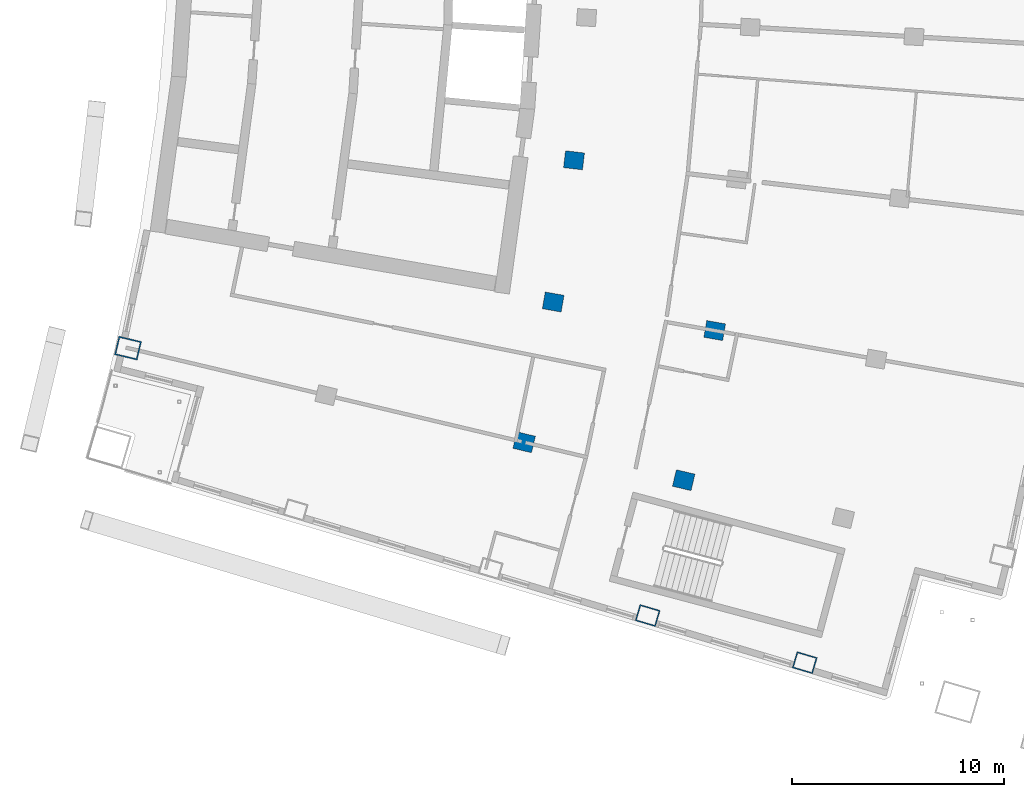
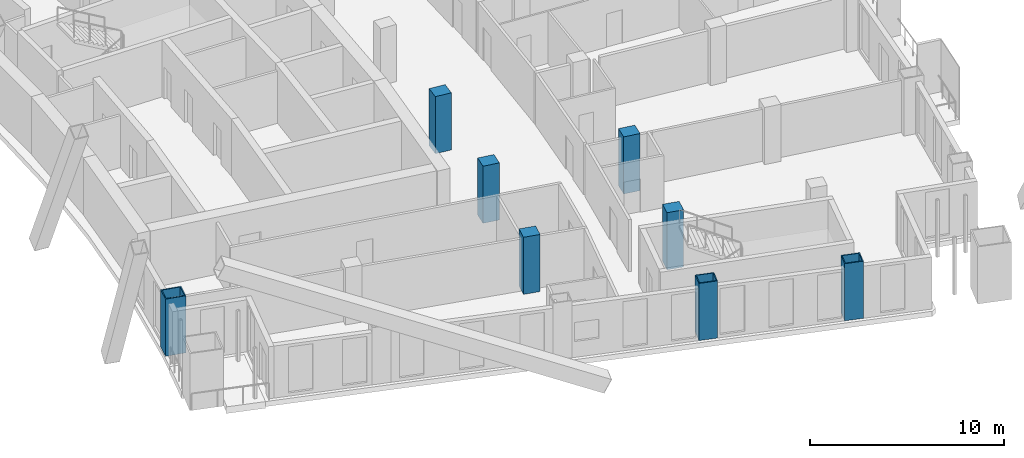
# One storey, part 2 of 19: 8 columns.
"""IFC4 building model written with IfcOpenShell, lengths in metres."""

from ifc_helpers import new_model, si_unit, direction, frame, origin, origin_2d, place, context, subcontext, project, spatial, rectangle, hollow_rectangle, extrude, material, material_profile, profile_set, type_object, element, save


model = new_model("IFC4")

# Units and contexts
model_context = context("Model", 3, precision=1e-05, world=origin(), true_north=direction((0.0, 1.0)))
body_context = subcontext(model_context, "Body", "Model", "MODEL_VIEW")
ifc_project = project(units=[si_unit("LENGTHUNIT", "METRE"), si_unit("AREAUNIT", "SQUARE_METRE"), si_unit("VOLUMEUNIT", "CUBIC_METRE"), si_unit("PLANEANGLEUNIT", "RADIAN"), si_unit("MASSUNIT", "GRAM", prefix="KILO")], contexts=[model_context])

# Site, building, storey
site_placement = place(None, origin())
site = spatial("IfcSite", under=ifc_project, at=site_placement, CompositionType="ELEMENT")
building_placement = place(site_placement, origin())
building = spatial("IfcBuilding", under=site, at=building_placement, Name="Alderwake Tower", CompositionType="ELEMENT")
storey_placement = place(building_placement, frame((0.0, 0.0, 171.199951171875)))
storey = spatial("IfcBuildingStorey", under=building, at=storey_placement, Name="L42", CompositionType="ELEMENT", Elevation=171.199951171875)

# Columns
ifc_material_1 = material(Name="Steel ASTM A572 Grade 50 concrete filled C70/85", Category="concrete")
ifc_material_profile_1 = material_profile(ifc_material_1, hollow_rectangle(XDim=0.800048828125, YDim=1.0, WallThickness=0.054931640625, at=origin_2d()), Name="BOX 1000X800X55")
ifc_profile_set_1 = profile_set([ifc_material_profile_1], Name="Steel ASTM A572 Grade 50 concrete filled C70/85")
column_type_1 = type_object("IfcColumnType", Name="End column Z3", PredefinedType="COLUMN", material=ifc_profile_set_1)
for number, where, z_axis, x_axis, name in (
    (1, (38.487060546875, 26.05322265625, 0.0), (0.0, 0.0, 1.0), (0.282893935167, 0.959151198428, 0.0), "Column R02-C3"),
    (2, (45.89404296875, 23.82958984375, 0.0), (0.0, 0.0, 1.0), (0.283168465256, 0.959070185276, 0.0), "Column R02-C4"),
):
    element("IfcColumn", number, at=place(storey_placement, frame(where, z_axis=z_axis, x_axis=x_axis)), inside=storey, type_object=column_type_1, Name=name, PredefinedType="COLUMN", context=body_context, shape_type="SweptSolid", body=[
        extrude(hollow_rectangle(XDim=0.800048828125, YDim=1.0, WallThickness=0.054931640625, at=origin_2d()), origin(), (0.0, 0.0, 1.0), 3.60009765625),
    ])
ifc_material_2 = material(Name="Concrete C70/85", Category="concrete")
ifc_material_profile_2 = material_profile(ifc_material_2, rectangle(XDim=0.800048828125, YDim=0.89990234375, at=origin_2d()), Name="RC 900X800")
ifc_profile_set_2 = profile_set([ifc_material_profile_2], Name="Concrete C70/85")
column_type_2 = type_object("IfcColumnType", Name="Interior column Z3", PredefinedType="COLUMN", material=ifc_profile_set_2)
for number, where, z_axis, x_axis, name in (
    (3, (32.661865234375, 34.224609375, 0.0), (0.0, 0.0, 1.0), (0.231221547198, 0.972901123502, 0.0), "Column R03-C2"),
    (4, (40.185791015625, 32.436279296875, 0.0), (0.0, 0.0, 1.0), (0.231221547198, 0.972901123502, 0.0), "Column R03-C3"),
    (5, (34.03125, 40.83837890625, 0.0), (0.0, 0.0, 1.0), (0.174108800747, 0.984726421654, 0.0), "Column R04-C2"),
    (6, (41.646484375, 39.49169921875, 0.0), (0.0, 0.0, 1.0), (0.174108800747, 0.984726421654, 0.0), "Column R04-C3"),
    (7, (35.0126953125, 47.5205078125, 0.0), (0.0, 0.0, 1.0), (0.116402054316, 0.993202175668, 0.0), "Column R05-C2"),
):
    element("IfcColumn", number, at=place(storey_placement, frame(where, z_axis=z_axis, x_axis=x_axis)), inside=storey, type_object=column_type_2, Name=name, PredefinedType="COLUMN", context=body_context, shape_type="SweptSolid", body=[
        extrude(rectangle(XDim=0.800048828125, YDim=0.89990234375, at=origin_2d()), origin(), (0.0, 0.0, 1.0), 3.60009765625),
    ])
ifc_material_3 = material(Name="Steel ASTM A572 Grade 50 concrete filled C70/85", Category="concrete")
ifc_material_profile_3 = material_profile(ifc_material_3, hollow_rectangle(XDim=0.89990234375, YDim=1.10009765625, WallThickness=0.06005859375, at=origin_2d()), Name="BOX 1100X900X60")
ifc_profile_set_3 = profile_set([ifc_material_profile_3], Name="Steel ASTM A572 Grade 50 concrete filled C70/85")
column_type_3 = type_object("IfcColumnType", Name="Perimeter column Z3", PredefinedType="COLUMN", material=ifc_profile_set_3)
column_placement = place(storey_placement, frame((13.982177734375, 38.6640625, 0.0), z_axis=(0.0, 0.0, 1.0), x_axis=(0.231221547198, 0.972901123502, 0.0)))
element("IfcColumn", 8, at=column_placement, inside=storey, type_object=column_type_3, Name="Column R03-C0", PredefinedType="COLUMN", context=body_context, shape_type="SweptSolid", body=[
    extrude(hollow_rectangle(XDim=0.89990234375, YDim=1.10009765625, WallThickness=0.06005859375, at=origin_2d()), origin(), (0.0, 0.0, 1.0), 3.60009765625),
])

save(model, "model.ifc")
